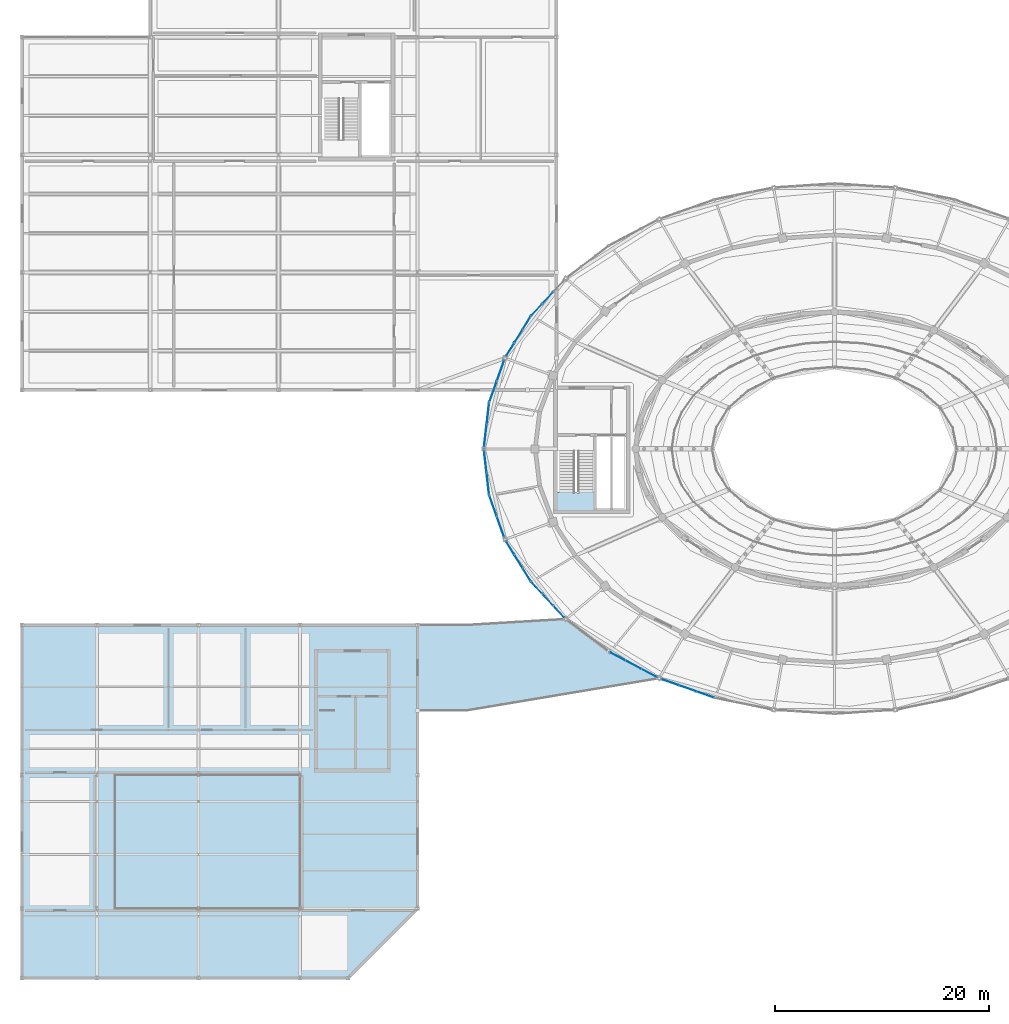
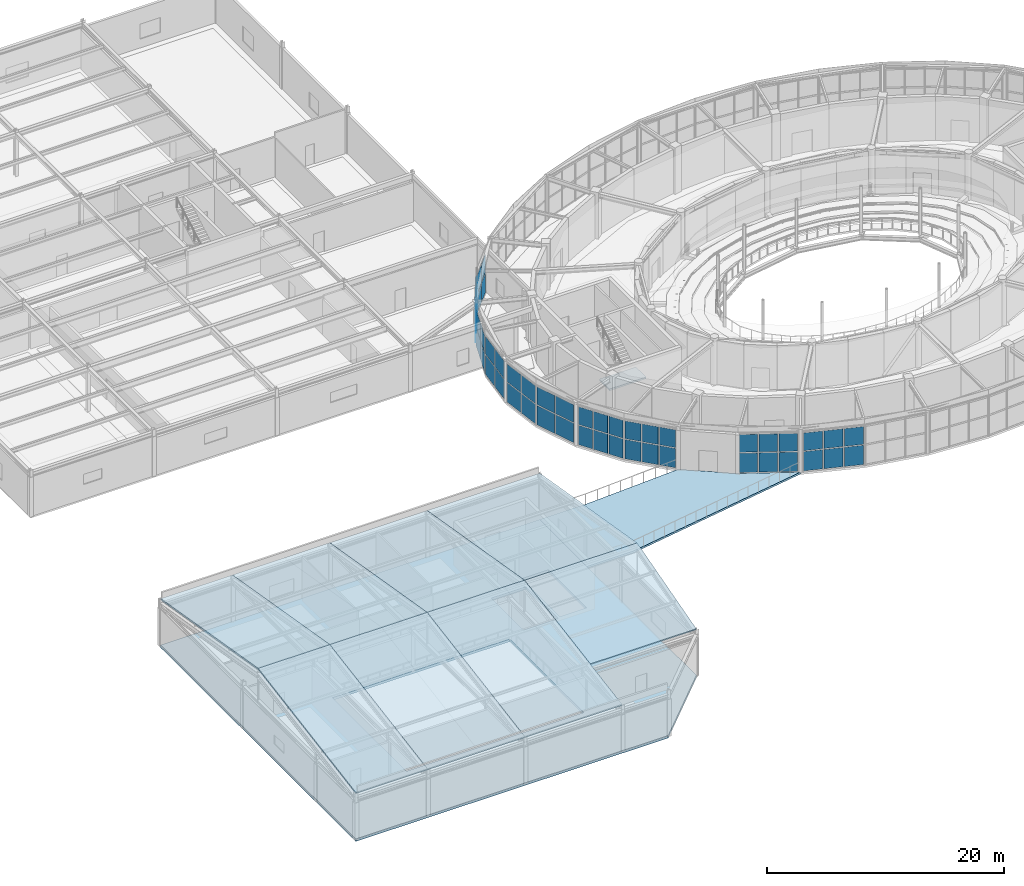
# One storey, part 79 of 108: 50 plates, 11 slabs, 11 elements without a shape of their own.
"""IFC4 building model written with IfcOpenShell, lengths in metres."""

from ifc_helpers import new_model, si_unit, direction, frame, origin, origin_2d, place, context, subcontext, project, spatial, polyline, rectangle, outline, extrude, material, layer, layer_set, type_object, element, aggregate, save


model = new_model("IFC4")

# Units and contexts
model_context = context("Model", 3, precision=1e-05, world=origin(), true_north=direction((0.0, 1.0)))
body_context = subcontext(model_context, "Body", "Model", "MODEL_VIEW")
ifc_project = project(units=[si_unit("LENGTHUNIT", "METRE"), si_unit("AREAUNIT", "SQUARE_METRE"), si_unit("VOLUMEUNIT", "CUBIC_METRE"), si_unit("PLANEANGLEUNIT", "RADIAN"), si_unit("MASSUNIT", "GRAM", prefix="KILO")], contexts=[model_context])

# Site, building, storey
site_placement = place(None, origin())
site = spatial("IfcSite", under=ifc_project, at=site_placement, CompositionType="ELEMENT")
building_placement = place(site_placement, origin())
building = spatial("IfcBuilding", under=site, at=building_placement, Name="Tarnveldt Headland Concert Hall", CompositionType="ELEMENT")
storey_placement = place(building_placement, frame((0.0, 0.0, 9.60009765625)))
storey = spatial("IfcBuildingStorey", under=building, at=storey_placement, Name="L02", CompositionType="ELEMENT", Elevation=9.60009765625)

# Curtain wall, plates
ifc_material_1 = material(Name="Marine-anodised aluminium EN AW-6063-T6", Category="aluminium")
curtain_wall_type = type_object("IfcCurtainWallType", Name="CW-F3", PredefinedType="NOTDEFINED", material=ifc_material_1)
curtain_wall_1_placement = place(storey_placement, origin())
curtain_wall_1 = element("IfcCurtainWall", 1, at=curtain_wall_1_placement, inside=storey, type_object=curtain_wall_type, Name="Curtain wall CW-L02-074", PredefinedType="NOTDEFINED")
ifc_material_2 = material(Name="Acoustic laminated low-iron double glazing", Category="glass")
ifc_layer_1 = layer(ifc_material_2, 0.028076171875, Name="Acoustic laminated low-iron double glazing", Category="glass")
ifc_layer_set_1 = layer_set([ifc_layer_1], Name="Acoustic laminated low-iron double glazing")
plate_type = type_object("IfcPlateType", Name="PN-F3", PredefinedType="CURTAIN_PANEL", material=ifc_layer_set_1)
plate_1_placement = place(storey_placement, frame((56.67919921875, 68.611083984375, 0.09228515625), z_axis=(0.0, 0.0, 1.0), x_axis=(-0.679466915851, -0.73370614708, 0.0)))
plate_1 = element("IfcPlate", 2, at=plate_1_placement, type_object=plate_type, Name="Glazed panel CW-L02-074-2-1", PredefinedType="CURTAIN_PANEL", context=body_context, shape_type="SweptSolid", body=[
    extrude(rectangle(XDim=1.419189453125, YDim=0.028076171875, at=origin_2d()), origin(), (0.0, 0.0, 1.0), 2.001220703125),
])
plate_2_placement = place(storey_placement, frame((56.67919921875, 68.611083984375, 2.178466796875), z_axis=(0.0, 0.0, 1.0), x_axis=(-0.679466915851, -0.73370614708, 0.0)))
plate_2 = element("IfcPlate", 3, at=plate_2_placement, type_object=plate_type, Name="Glazed panel CW-L02-074-2-2", PredefinedType="CURTAIN_PANEL", context=body_context, shape_type="SweptSolid", body=[
    extrude(rectangle(XDim=1.419189453125, YDim=0.028076171875, at=origin_2d()), origin(), (0.0, 0.0, 1.0), 1.8369140625),
])
plate_3_placement = place(storey_placement, frame((55.640869140625, 67.489990234375, 0.09228515625), z_axis=(0.0, 0.0, 1.0), x_axis=(-0.679466915851, -0.73370614708, 0.0)))
plate_3 = element("IfcPlate", 4, at=plate_3_placement, type_object=plate_type, Name="Glazed panel CW-L02-074-3-1", PredefinedType="CURTAIN_PANEL", context=body_context, shape_type="SweptSolid", body=[
    extrude(rectangle(XDim=1.419189453125, YDim=0.028076171875, at=origin_2d()), origin(), (0.0, 0.0, 1.0), 2.001220703125),
])
plate_4_placement = place(storey_placement, frame((55.640869140625, 67.489990234375, 2.178466796875), z_axis=(0.0, 0.0, 1.0), x_axis=(-0.679466915851, -0.73370614708, 0.0)))
plate_4 = element("IfcPlate", 5, at=plate_4_placement, type_object=plate_type, Name="Glazed panel CW-L02-074-3-2", PredefinedType="CURTAIN_PANEL", context=body_context, shape_type="SweptSolid", body=[
    extrude(rectangle(XDim=1.419189453125, YDim=0.028076171875, at=origin_2d()), origin(), (0.0, 0.0, 1.0), 1.8369140625),
])
aggregate(curtain_wall_1, [plate_1, plate_2, plate_3, plate_4])

curtain_wall_2_placement = place(storey_placement, origin())
curtain_wall_2 = element("IfcCurtainWall", 6, at=curtain_wall_2_placement, inside=storey, type_object=curtain_wall_type, Name="Curtain wall CW-L02-075", PredefinedType="NOTDEFINED")
plate_5_placement = place(storey_placement, frame((54.69189453125, 66.247314453125, 0.09228515625), z_axis=(0.0, 0.0, 1.0), x_axis=(-0.524922111703, -0.851150266783, 0.0)))
plate_5 = element("IfcPlate", 7, at=plate_5_placement, type_object=plate_type, Name="Glazed panel CW-L02-075-1-1", PredefinedType="CURTAIN_PANEL", context=body_context, shape_type="SweptSolid", body=[
    extrude(rectangle(XDim=1.3447265625, YDim=0.028076171875, at=origin_2d()), origin(), (0.0, 0.0, 1.0), 1.938720703125),
])
plate_6_placement = place(storey_placement, frame((54.69189453125, 66.247314453125, 2.1162109375), z_axis=(0.0, 0.0, 1.0), x_axis=(-0.524922111703, -0.851150266783, 0.0)))
plate_6 = element("IfcPlate", 8, at=plate_6_placement, type_object=plate_type, Name="Glazed panel CW-L02-075-1-2", PredefinedType="CURTAIN_PANEL", context=body_context, shape_type="SweptSolid", body=[
    extrude(rectangle(XDim=1.3447265625, YDim=0.028076171875, at=origin_2d()), origin(), (0.0, 0.0, 1.0), 1.779296875),
])
plate_7_placement = place(storey_placement, frame((53.9287109375, 65.010009765625, 0.09228515625), z_axis=(0.0, 0.0, 1.0), x_axis=(-0.524922111703, -0.851150266783, 0.0)))
plate_7 = element("IfcPlate", 9, at=plate_7_placement, type_object=plate_type, Name="Glazed panel CW-L02-075-2-1", PredefinedType="CURTAIN_PANEL", context=body_context, shape_type="SweptSolid", body=[
    extrude(rectangle(XDim=1.3447265625, YDim=0.028076171875, at=origin_2d()), origin(), (0.0, 0.0, 1.0), 1.938720703125),
])
plate_8_placement = place(storey_placement, frame((53.9287109375, 65.010009765625, 2.1162109375), z_axis=(0.0, 0.0, 1.0), x_axis=(-0.524922111703, -0.851150266783, 0.0)))
plate_8 = element("IfcPlate", 10, at=plate_8_placement, type_object=plate_type, Name="Glazed panel CW-L02-075-2-2", PredefinedType="CURTAIN_PANEL", context=body_context, shape_type="SweptSolid", body=[
    extrude(rectangle(XDim=1.3447265625, YDim=0.028076171875, at=origin_2d()), origin(), (0.0, 0.0, 1.0), 1.779296875),
])
plate_9_placement = place(storey_placement, frame((53.16552734375, 63.772705078125, 0.09228515625), z_axis=(0.0, 0.0, 1.0), x_axis=(-0.524922111703, -0.851150266783, 0.0)))
plate_9 = element("IfcPlate", 11, at=plate_9_placement, type_object=plate_type, Name="Glazed panel CW-L02-075-3-1", PredefinedType="CURTAIN_PANEL", context=body_context, shape_type="SweptSolid", body=[
    extrude(rectangle(XDim=1.3447265625, YDim=0.028076171875, at=origin_2d()), origin(), (0.0, 0.0, 1.0), 1.938720703125),
])
plate_10_placement = place(storey_placement, frame((53.16552734375, 63.772705078125, 2.1162109375), z_axis=(0.0, 0.0, 1.0), x_axis=(-0.524922111703, -0.851150266783, 0.0)))
plate_10 = element("IfcPlate", 12, at=plate_10_placement, type_object=plate_type, Name="Glazed panel CW-L02-075-3-2", PredefinedType="CURTAIN_PANEL", context=body_context, shape_type="SweptSolid", body=[
    extrude(rectangle(XDim=1.3447265625, YDim=0.028076171875, at=origin_2d()), origin(), (0.0, 0.0, 1.0), 1.779296875),
])
aggregate(curtain_wall_2, [plate_5, plate_6, plate_7, plate_8, plate_9, plate_10])

curtain_wall_3_placement = place(storey_placement, origin())
curtain_wall_3 = element("IfcCurtainWall", 13, at=curtain_wall_3_placement, inside=storey, type_object=curtain_wall_type, Name="Curtain wall CW-L02-076", PredefinedType="NOTDEFINED")
plate_11_placement = place(storey_placement, frame((52.260986328125, 61.8046875, 0.09228515625), z_axis=(0.0, 0.0, 1.0), x_axis=(-0.33402072921, -0.942565728455, 0.0)))
plate_11 = element("IfcPlate", 14, at=plate_11_placement, type_object=plate_type, Name="Glazed panel CW-L02-076-1-1", PredefinedType="CURTAIN_PANEL", context=body_context, shape_type="SweptSolid", body=[
    extrude(rectangle(XDim=1.985107421875, YDim=0.028076171875, at=origin_2d()), origin(), (0.0, 0.0, 1.0), 1.938720703125),
])
plate_12_placement = place(storey_placement, frame((52.260986328125, 61.8046875, 2.1162109375), z_axis=(0.0, 0.0, 1.0), x_axis=(-0.33402072921, -0.942565728455, 0.0)))
plate_12 = element("IfcPlate", 15, at=plate_12_placement, type_object=plate_type, Name="Glazed panel CW-L02-076-1-2", PredefinedType="CURTAIN_PANEL", context=body_context, shape_type="SweptSolid", body=[
    extrude(rectangle(XDim=1.985107421875, YDim=0.028076171875, at=origin_2d()), origin(), (0.0, 0.0, 1.0), 1.779296875),
])
plate_13_placement = place(storey_placement, frame((51.561279296875, 59.8310546875, 0.09228515625), z_axis=(0.0, 0.0, 1.0), x_axis=(-0.33402072921, -0.942565728455, 0.0)))
plate_13 = element("IfcPlate", 16, at=plate_13_placement, type_object=plate_type, Name="Glazed panel CW-L02-076-2-1", PredefinedType="CURTAIN_PANEL", context=body_context, shape_type="SweptSolid", body=[
    extrude(rectangle(XDim=1.985107421875, YDim=0.028076171875, at=origin_2d()), origin(), (0.0, 0.0, 1.0), 1.938720703125),
])
plate_14_placement = place(storey_placement, frame((51.561279296875, 59.8310546875, 2.1162109375), z_axis=(0.0, 0.0, 1.0), x_axis=(-0.33402072921, -0.942565728455, 0.0)))
plate_14 = element("IfcPlate", 17, at=plate_14_placement, type_object=plate_type, Name="Glazed panel CW-L02-076-2-2", PredefinedType="CURTAIN_PANEL", context=body_context, shape_type="SweptSolid", body=[
    extrude(rectangle(XDim=1.985107421875, YDim=0.028076171875, at=origin_2d()), origin(), (0.0, 0.0, 1.0), 1.779296875),
])
aggregate(curtain_wall_3, [plate_11, plate_12, plate_13, plate_14])

curtain_wall_4_placement = place(storey_placement, origin())
curtain_wall_4 = element("IfcCurtainWall", 18, at=curtain_wall_4_placement, inside=storey, type_object=curtain_wall_type, Name="Curtain wall CW-L02-077", PredefinedType="NOTDEFINED")
plate_15_placement = place(storey_placement, frame((51.076171875, 57.750244140625, 0.09228515625), z_axis=(0.0, 0.0, 1.0), x_axis=(-0.114937150493, -0.9933727656, 0.0)))
plate_15 = element("IfcPlate", 19, at=plate_15_placement, type_object=plate_type, Name="Glazed panel CW-L02-077-1-1", PredefinedType="CURTAIN_PANEL", context=body_context, shape_type="SweptSolid", body=[
    extrude(rectangle(XDim=1.937744140625, YDim=0.028076171875, at=origin_2d()), origin(), (0.0, 0.0, 1.0), 2.001220703125),
])
plate_16_placement = place(storey_placement, frame((51.076171875, 57.750244140625, 2.178466796875), z_axis=(0.0, 0.0, 1.0), x_axis=(-0.114937150493, -0.9933727656, 0.0)))
plate_16 = element("IfcPlate", 20, at=plate_16_placement, type_object=plate_type, Name="Glazed panel CW-L02-077-1-2", PredefinedType="CURTAIN_PANEL", context=body_context, shape_type="SweptSolid", body=[
    extrude(rectangle(XDim=1.937744140625, YDim=0.028076171875, at=origin_2d()), origin(), (0.0, 0.0, 1.0), 1.8369140625),
])
plate_17_placement = place(storey_placement, frame((50.8408203125, 55.71728515625, 0.09228515625), z_axis=(0.0, 0.0, 1.0), x_axis=(-0.114937150493, -0.9933727656, 0.0)))
plate_17 = element("IfcPlate", 21, at=plate_17_placement, type_object=plate_type, Name="Glazed panel CW-L02-077-2-1", PredefinedType="CURTAIN_PANEL", context=body_context, shape_type="SweptSolid", body=[
    extrude(rectangle(XDim=1.937744140625, YDim=0.028076171875, at=origin_2d()), origin(), (0.0, 0.0, 1.0), 2.001220703125),
])
plate_18_placement = place(storey_placement, frame((50.8408203125, 55.71728515625, 2.178466796875), z_axis=(0.0, 0.0, 1.0), x_axis=(-0.114937150493, -0.9933727656, 0.0)))
plate_18 = element("IfcPlate", 22, at=plate_18_placement, type_object=plate_type, Name="Glazed panel CW-L02-077-2-2", PredefinedType="CURTAIN_PANEL", context=body_context, shape_type="SweptSolid", body=[
    extrude(rectangle(XDim=1.937744140625, YDim=0.028076171875, at=origin_2d()), origin(), (0.0, 0.0, 1.0), 1.8369140625),
])
aggregate(curtain_wall_4, [plate_15, plate_16, plate_17, plate_18])

curtain_wall_5_placement = place(storey_placement, origin())
curtain_wall_5 = element("IfcCurtainWall", 23, at=curtain_wall_5_placement, inside=storey, type_object=curtain_wall_type, Name="Curtain wall CW-L02-078", PredefinedType="NOTDEFINED")
plate_19_placement = place(storey_placement, frame((50.8408203125, 53.28271484375, 0.09228515625), z_axis=(0.0, 0.0, 1.0), x_axis=(0.114937150493, -0.9933727656, 0.0)))
plate_19 = element("IfcPlate", 24, at=plate_19_placement, type_object=plate_type, Name="Glazed panel CW-L02-078-1-1", PredefinedType="CURTAIN_PANEL", context=body_context, shape_type="SweptSolid", body=[
    extrude(rectangle(XDim=1.937744140625, YDim=0.028076171875, at=origin_2d()), origin(), (0.0, 0.0, 1.0), 2.001220703125),
])
plate_20_placement = place(storey_placement, frame((50.8408203125, 53.28271484375, 2.178466796875), z_axis=(0.0, 0.0, 1.0), x_axis=(0.114937150493, -0.9933727656, 0.0)))
plate_20 = element("IfcPlate", 25, at=plate_20_placement, type_object=plate_type, Name="Glazed panel CW-L02-078-1-2", PredefinedType="CURTAIN_PANEL", context=body_context, shape_type="SweptSolid", body=[
    extrude(rectangle(XDim=1.937744140625, YDim=0.028076171875, at=origin_2d()), origin(), (0.0, 0.0, 1.0), 1.8369140625),
])
plate_21_placement = place(storey_placement, frame((51.076171875, 51.249755859375, 0.09228515625), z_axis=(0.0, 0.0, 1.0), x_axis=(0.114937150493, -0.9933727656, 0.0)))
plate_21 = element("IfcPlate", 26, at=plate_21_placement, type_object=plate_type, Name="Glazed panel CW-L02-078-2-1", PredefinedType="CURTAIN_PANEL", context=body_context, shape_type="SweptSolid", body=[
    extrude(rectangle(XDim=1.937744140625, YDim=0.028076171875, at=origin_2d()), origin(), (0.0, 0.0, 1.0), 2.001220703125),
])
plate_22_placement = place(storey_placement, frame((51.076171875, 51.249755859375, 2.178466796875), z_axis=(0.0, 0.0, 1.0), x_axis=(0.114937150493, -0.9933727656, 0.0)))
plate_22 = element("IfcPlate", 27, at=plate_22_placement, type_object=plate_type, Name="Glazed panel CW-L02-078-2-2", PredefinedType="CURTAIN_PANEL", context=body_context, shape_type="SweptSolid", body=[
    extrude(rectangle(XDim=1.937744140625, YDim=0.028076171875, at=origin_2d()), origin(), (0.0, 0.0, 1.0), 1.8369140625),
])
aggregate(curtain_wall_5, [plate_19, plate_20, plate_21, plate_22])

curtain_wall_6_placement = place(storey_placement, origin())
curtain_wall_6 = element("IfcCurtainWall", 28, at=curtain_wall_6_placement, inside=storey, type_object=curtain_wall_type, Name="Curtain wall CW-L02-079", PredefinedType="NOTDEFINED")
plate_23_placement = place(storey_placement, frame((51.561279296875, 49.1689453125, 0.09228515625), z_axis=(0.0, 0.0, 1.0), x_axis=(0.33402072921, -0.942565728455, 0.0)))
plate_23 = element("IfcPlate", 29, at=plate_23_placement, type_object=plate_type, Name="Glazed panel CW-L02-079-1-1", PredefinedType="CURTAIN_PANEL", context=body_context, shape_type="SweptSolid", body=[
    extrude(rectangle(XDim=1.985107421875, YDim=0.028076171875, at=origin_2d()), origin(), (0.0, 0.0, 1.0), 2.001220703125),
])
plate_24_placement = place(storey_placement, frame((51.561279296875, 49.1689453125, 2.178466796875), z_axis=(0.0, 0.0, 1.0), x_axis=(0.33402072921, -0.942565728455, 0.0)))
plate_24 = element("IfcPlate", 30, at=plate_24_placement, type_object=plate_type, Name="Glazed panel CW-L02-079-1-2", PredefinedType="CURTAIN_PANEL", context=body_context, shape_type="SweptSolid", body=[
    extrude(rectangle(XDim=1.985107421875, YDim=0.028076171875, at=origin_2d()), origin(), (0.0, 0.0, 1.0), 1.8369140625),
])
plate_25_placement = place(storey_placement, frame((52.260986328125, 47.1953125, 0.09228515625), z_axis=(0.0, 0.0, 1.0), x_axis=(0.33402072921, -0.942565728455, 0.0)))
plate_25 = element("IfcPlate", 31, at=plate_25_placement, type_object=plate_type, Name="Glazed panel CW-L02-079-2-1", PredefinedType="CURTAIN_PANEL", context=body_context, shape_type="SweptSolid", body=[
    extrude(rectangle(XDim=1.985107421875, YDim=0.028076171875, at=origin_2d()), origin(), (0.0, 0.0, 1.0), 2.001220703125),
])
plate_26_placement = place(storey_placement, frame((52.260986328125, 47.1953125, 2.178466796875), z_axis=(0.0, 0.0, 1.0), x_axis=(0.33402072921, -0.942565728455, 0.0)))
plate_26 = element("IfcPlate", 32, at=plate_26_placement, type_object=plate_type, Name="Glazed panel CW-L02-079-2-2", PredefinedType="CURTAIN_PANEL", context=body_context, shape_type="SweptSolid", body=[
    extrude(rectangle(XDim=1.985107421875, YDim=0.028076171875, at=origin_2d()), origin(), (0.0, 0.0, 1.0), 1.8369140625),
])
aggregate(curtain_wall_6, [plate_23, plate_24, plate_25, plate_26])

curtain_wall_7_placement = place(storey_placement, origin())
curtain_wall_7 = element("IfcCurtainWall", 33, at=curtain_wall_7_placement, inside=storey, type_object=curtain_wall_type, Name="Curtain wall CW-L02-080", PredefinedType="NOTDEFINED")
plate_27_placement = place(storey_placement, frame((53.16552734375, 45.227294921875, 0.09228515625), z_axis=(0.0, 0.0, 1.0), x_axis=(0.524922111703, -0.851150266783, 0.0)))
plate_27 = element("IfcPlate", 34, at=plate_27_placement, type_object=plate_type, Name="Glazed panel CW-L02-080-1-1", PredefinedType="CURTAIN_PANEL", context=body_context, shape_type="SweptSolid", body=[
    extrude(rectangle(XDim=1.3447265625, YDim=0.028076171875, at=origin_2d()), origin(), (0.0, 0.0, 1.0), 2.001220703125),
])
plate_28_placement = place(storey_placement, frame((53.16552734375, 45.227294921875, 2.178466796875), z_axis=(0.0, 0.0, 1.0), x_axis=(0.524922111703, -0.851150266783, 0.0)))
plate_28 = element("IfcPlate", 35, at=plate_28_placement, type_object=plate_type, Name="Glazed panel CW-L02-080-1-2", PredefinedType="CURTAIN_PANEL", context=body_context, shape_type="SweptSolid", body=[
    extrude(rectangle(XDim=1.3447265625, YDim=0.028076171875, at=origin_2d()), origin(), (0.0, 0.0, 1.0), 1.8369140625),
])
plate_29_placement = place(storey_placement, frame((53.9287109375, 43.989990234375, 0.09228515625), z_axis=(0.0, 0.0, 1.0), x_axis=(0.524922111703, -0.851150266783, 0.0)))
plate_29 = element("IfcPlate", 36, at=plate_29_placement, type_object=plate_type, Name="Glazed panel CW-L02-080-2-1", PredefinedType="CURTAIN_PANEL", context=body_context, shape_type="SweptSolid", body=[
    extrude(rectangle(XDim=1.3447265625, YDim=0.028076171875, at=origin_2d()), origin(), (0.0, 0.0, 1.0), 2.001220703125),
])
plate_30_placement = place(storey_placement, frame((53.9287109375, 43.989990234375, 2.178466796875), z_axis=(0.0, 0.0, 1.0), x_axis=(0.524922111703, -0.851150266783, 0.0)))
plate_30 = element("IfcPlate", 37, at=plate_30_placement, type_object=plate_type, Name="Glazed panel CW-L02-080-2-2", PredefinedType="CURTAIN_PANEL", context=body_context, shape_type="SweptSolid", body=[
    extrude(rectangle(XDim=1.3447265625, YDim=0.028076171875, at=origin_2d()), origin(), (0.0, 0.0, 1.0), 1.8369140625),
])
plate_31_placement = place(storey_placement, frame((54.69189453125, 42.752685546875, 0.09228515625), z_axis=(0.0, 0.0, 1.0), x_axis=(0.524922111703, -0.851150266783, 0.0)))
plate_31 = element("IfcPlate", 38, at=plate_31_placement, type_object=plate_type, Name="Glazed panel CW-L02-080-3-1", PredefinedType="CURTAIN_PANEL", context=body_context, shape_type="SweptSolid", body=[
    extrude(rectangle(XDim=1.3447265625, YDim=0.028076171875, at=origin_2d()), origin(), (0.0, 0.0, 1.0), 2.001220703125),
])
plate_32_placement = place(storey_placement, frame((54.69189453125, 42.752685546875, 2.178466796875), z_axis=(0.0, 0.0, 1.0), x_axis=(0.524922111703, -0.851150266783, 0.0)))
plate_32 = element("IfcPlate", 39, at=plate_32_placement, type_object=plate_type, Name="Glazed panel CW-L02-080-3-2", PredefinedType="CURTAIN_PANEL", context=body_context, shape_type="SweptSolid", body=[
    extrude(rectangle(XDim=1.3447265625, YDim=0.028076171875, at=origin_2d()), origin(), (0.0, 0.0, 1.0), 1.8369140625),
])
aggregate(curtain_wall_7, [plate_27, plate_28, plate_29, plate_30, plate_31, plate_32])

curtain_wall_8_placement = place(storey_placement, origin())
curtain_wall_8 = element("IfcCurtainWall", 40, at=curtain_wall_8_placement, inside=storey, type_object=curtain_wall_type, Name="Curtain wall CW-L02-081", PredefinedType="NOTDEFINED")
plate_33_placement = place(storey_placement, frame((55.640625, 41.510009765625, 0.09228515625), z_axis=(0.0, 0.0, 1.0), x_axis=(0.679466915851, -0.73370614708, 0.0)))
plate_33 = element("IfcPlate", 41, at=plate_33_placement, type_object=plate_type, Name="Glazed panel CW-L02-081-1-1", PredefinedType="CURTAIN_PANEL", context=body_context, shape_type="SweptSolid", body=[
    extrude(rectangle(XDim=1.419189453125, YDim=0.028076171875, at=origin_2d()), origin(), (0.0, 0.0, 1.0), 2.001220703125),
])
plate_34_placement = place(storey_placement, frame((55.640625, 41.510009765625, 2.178466796875), z_axis=(0.0, 0.0, 1.0), x_axis=(0.679466915851, -0.73370614708, 0.0)))
plate_34 = element("IfcPlate", 42, at=plate_34_placement, type_object=plate_type, Name="Glazed panel CW-L02-081-1-2", PredefinedType="CURTAIN_PANEL", context=body_context, shape_type="SweptSolid", body=[
    extrude(rectangle(XDim=1.419189453125, YDim=0.028076171875, at=origin_2d()), origin(), (0.0, 0.0, 1.0), 1.8369140625),
])
plate_35_placement = place(storey_placement, frame((56.67919921875, 40.388916015625, 0.09228515625), z_axis=(0.0, 0.0, 1.0), x_axis=(0.679466915851, -0.73370614708, 0.0)))
plate_35 = element("IfcPlate", 43, at=plate_35_placement, type_object=plate_type, Name="Glazed panel CW-L02-081-2-1", PredefinedType="CURTAIN_PANEL", context=body_context, shape_type="SweptSolid", body=[
    extrude(rectangle(XDim=1.419189453125, YDim=0.028076171875, at=origin_2d()), origin(), (0.0, 0.0, 1.0), 2.001220703125),
])
plate_36_placement = place(storey_placement, frame((56.67919921875, 40.388916015625, 2.178466796875), z_axis=(0.0, 0.0, 1.0), x_axis=(0.679466915851, -0.73370614708, 0.0)))
plate_36 = element("IfcPlate", 44, at=plate_36_placement, type_object=plate_type, Name="Glazed panel CW-L02-081-2-2", PredefinedType="CURTAIN_PANEL", context=body_context, shape_type="SweptSolid", body=[
    extrude(rectangle(XDim=1.419189453125, YDim=0.028076171875, at=origin_2d()), origin(), (0.0, 0.0, 1.0), 1.8369140625),
])
plate_37_placement = place(storey_placement, frame((57.71728515625, 39.267578125, 0.09228515625), z_axis=(0.0, 0.0, 1.0), x_axis=(0.679466915851, -0.73370614708, 0.0)))
plate_37 = element("IfcPlate", 45, at=plate_37_placement, type_object=plate_type, Name="Glazed panel CW-L02-081-3-1", PredefinedType="CURTAIN_PANEL", context=body_context, shape_type="SweptSolid", body=[
    extrude(rectangle(XDim=1.419189453125, YDim=0.028076171875, at=origin_2d()), origin(), (0.0, 0.0, 1.0), 2.001220703125),
])
plate_38_placement = place(storey_placement, frame((57.71728515625, 39.267578125, 2.178466796875), z_axis=(0.0, 0.0, 1.0), x_axis=(0.679466915851, -0.73370614708, 0.0)))
plate_38 = element("IfcPlate", 46, at=plate_38_placement, type_object=plate_type, Name="Glazed panel CW-L02-081-3-2", PredefinedType="CURTAIN_PANEL", context=body_context, shape_type="SweptSolid", body=[
    extrude(rectangle(XDim=1.419189453125, YDim=0.028076171875, at=origin_2d()), origin(), (0.0, 0.0, 1.0), 1.8369140625),
])
aggregate(curtain_wall_8, [plate_33, plate_34, plate_35, plate_36, plate_37, plate_38])

curtain_wall_9_placement = place(storey_placement, origin())
curtain_wall_9 = element("IfcCurtainWall", 47, at=curtain_wall_9_placement, inside=storey, type_object=curtain_wall_type, Name="Curtain wall CW-L02-082", PredefinedType="NOTDEFINED")
plate_39_placement = place(storey_placement, frame((63.197021484375, 35.089111328125, 0.09228515625), z_axis=(0.0, 0.0, 1.0), x_axis=(0.883781963382, -0.467898964735, 0.0)))
plate_39 = element("IfcPlate", 48, at=plate_39_placement, type_object=plate_type, Name="Glazed panel CW-L02-082-1-1", PredefinedType="CURTAIN_PANEL", context=body_context, shape_type="SweptSolid", body=[
    extrude(rectangle(XDim=1.576904296875, YDim=0.028076171875, at=origin_2d()), origin(), (0.0, 0.0, 1.0), 2.001220703125),
])
plate_40_placement = place(storey_placement, frame((63.197021484375, 35.089111328125, 2.178466796875), z_axis=(0.0, 0.0, 1.0), x_axis=(0.883781963382, -0.467898964735, 0.0)))
plate_40 = element("IfcPlate", 49, at=plate_40_placement, type_object=plate_type, Name="Glazed panel CW-L02-082-1-2", PredefinedType="CURTAIN_PANEL", context=body_context, shape_type="SweptSolid", body=[
    extrude(rectangle(XDim=1.576904296875, YDim=0.028076171875, at=origin_2d()), origin(), (0.0, 0.0, 1.0), 1.8369140625),
])
plate_41_placement = place(storey_placement, frame((64.686767578125, 34.30029296875, 0.09228515625), z_axis=(0.0, 0.0, 1.0), x_axis=(0.883781963382, -0.467898964735, 0.0)))
plate_41 = element("IfcPlate", 50, at=plate_41_placement, type_object=plate_type, Name="Glazed panel CW-L02-082-2-1", PredefinedType="CURTAIN_PANEL", context=body_context, shape_type="SweptSolid", body=[
    extrude(rectangle(XDim=1.576904296875, YDim=0.028076171875, at=origin_2d()), origin(), (0.0, 0.0, 1.0), 2.001220703125),
])
plate_42_placement = place(storey_placement, frame((64.686767578125, 34.30029296875, 2.178466796875), z_axis=(0.0, 0.0, 1.0), x_axis=(0.883781963382, -0.467898964735, 0.0)))
plate_42 = element("IfcPlate", 51, at=plate_42_placement, type_object=plate_type, Name="Glazed panel CW-L02-082-2-2", PredefinedType="CURTAIN_PANEL", context=body_context, shape_type="SweptSolid", body=[
    extrude(rectangle(XDim=1.576904296875, YDim=0.028076171875, at=origin_2d()), origin(), (0.0, 0.0, 1.0), 1.8369140625),
])
plate_43_placement = place(storey_placement, frame((66.176513671875, 33.511474609375, 0.09228515625), z_axis=(0.0, 0.0, 1.0), x_axis=(0.883781963382, -0.467898964735, 0.0)))
plate_43 = element("IfcPlate", 52, at=plate_43_placement, type_object=plate_type, Name="Glazed panel CW-L02-082-3-1", PredefinedType="CURTAIN_PANEL", context=body_context, shape_type="SweptSolid", body=[
    extrude(rectangle(XDim=1.576904296875, YDim=0.028076171875, at=origin_2d()), origin(), (0.0, 0.0, 1.0), 2.001220703125),
])
plate_44_placement = place(storey_placement, frame((66.176513671875, 33.511474609375, 2.178466796875), z_axis=(0.0, 0.0, 1.0), x_axis=(0.883781963382, -0.467898964735, 0.0)))
plate_44 = element("IfcPlate", 53, at=plate_44_placement, type_object=plate_type, Name="Glazed panel CW-L02-082-3-2", PredefinedType="CURTAIN_PANEL", context=body_context, shape_type="SweptSolid", body=[
    extrude(rectangle(XDim=1.576904296875, YDim=0.028076171875, at=origin_2d()), origin(), (0.0, 0.0, 1.0), 1.8369140625),
])
aggregate(curtain_wall_9, [plate_39, plate_40, plate_41, plate_42, plate_43, plate_44])

curtain_wall_10_placement = place(storey_placement, origin())
curtain_wall_10 = element("IfcCurtainWall", 54, at=curtain_wall_10_placement, inside=storey, type_object=curtain_wall_type, Name="Curtain wall CW-L02-083", PredefinedType="NOTDEFINED")
plate_45_placement = place(storey_placement, frame((68.1162109375, 32.664306640625, 0.09228515625), z_axis=(0.0, 0.0, 1.0), x_axis=(0.9430950477, -0.33252327889, 0.0)))
plate_45 = element("IfcPlate", 55, at=plate_45_placement, type_object=plate_type, Name="Glazed panel CW-L02-083-1-1", PredefinedType="CURTAIN_PANEL", context=body_context, shape_type="SweptSolid", body=[
    extrude(rectangle(XDim=1.641845703125, YDim=0.028076171875, at=origin_2d()), origin(), (0.0, 0.0, 1.0), 2.001220703125),
])
plate_46_placement = place(storey_placement, frame((68.1162109375, 32.664306640625, 2.178466796875), z_axis=(0.0, 0.0, 1.0), x_axis=(0.9430950477, -0.33252327889, 0.0)))
plate_46 = element("IfcPlate", 56, at=plate_46_placement, type_object=plate_type, Name="Glazed panel CW-L02-083-1-2", PredefinedType="CURTAIN_PANEL", context=body_context, shape_type="SweptSolid", body=[
    extrude(rectangle(XDim=1.641845703125, YDim=0.028076171875, at=origin_2d()), origin(), (0.0, 0.0, 1.0), 1.8369140625),
])
plate_47_placement = place(storey_placement, frame((69.76708984375, 32.08203125, 0.09228515625), z_axis=(0.0, 0.0, 1.0), x_axis=(0.9430950477, -0.33252327889, 0.0)))
plate_47 = element("IfcPlate", 57, at=plate_47_placement, type_object=plate_type, Name="Glazed panel CW-L02-083-2-1", PredefinedType="CURTAIN_PANEL", context=body_context, shape_type="SweptSolid", body=[
    extrude(rectangle(XDim=1.641845703125, YDim=0.028076171875, at=origin_2d()), origin(), (0.0, 0.0, 1.0), 2.001220703125),
])
plate_48_placement = place(storey_placement, frame((69.76708984375, 32.08203125, 2.178466796875), z_axis=(0.0, 0.0, 1.0), x_axis=(0.9430950477, -0.33252327889, 0.0)))
plate_48 = element("IfcPlate", 58, at=plate_48_placement, type_object=plate_type, Name="Glazed panel CW-L02-083-2-2", PredefinedType="CURTAIN_PANEL", context=body_context, shape_type="SweptSolid", body=[
    extrude(rectangle(XDim=1.641845703125, YDim=0.028076171875, at=origin_2d()), origin(), (0.0, 0.0, 1.0), 1.8369140625),
])
plate_49_placement = place(storey_placement, frame((71.41845703125, 31.5, 0.09228515625), z_axis=(0.0, 0.0, 1.0), x_axis=(0.9430950477, -0.33252327889, 0.0)))
plate_49 = element("IfcPlate", 59, at=plate_49_placement, type_object=plate_type, Name="Glazed panel CW-L02-083-3-1", PredefinedType="CURTAIN_PANEL", context=body_context, shape_type="SweptSolid", body=[
    extrude(rectangle(XDim=1.641845703125, YDim=0.028076171875, at=origin_2d()), origin(), (0.0, 0.0, 1.0), 2.001220703125),
])
plate_50_placement = place(storey_placement, frame((71.41845703125, 31.5, 2.178466796875), z_axis=(0.0, 0.0, 1.0), x_axis=(0.9430950477, -0.33252327889, 0.0)))
plate_50 = element("IfcPlate", 60, at=plate_50_placement, type_object=plate_type, Name="Glazed panel CW-L02-083-3-2", PredefinedType="CURTAIN_PANEL", context=body_context, shape_type="SweptSolid", body=[
    extrude(rectangle(XDim=1.641845703125, YDim=0.028076171875, at=origin_2d()), origin(), (0.0, 0.0, 1.0), 1.8369140625),
])
aggregate(curtain_wall_10, [plate_45, plate_46, plate_47, plate_48, plate_49, plate_50])

# Slabs
ifc_material_3 = material(Name="Concrete C40/50", Category="concrete")
ifc_layer_2 = layer(ifc_material_3, 0.260009765625, Name="Concrete C40/50", Category="concrete")
ifc_layer_set_2 = layer_set([ifc_layer_2], Name="Concrete C40/50")
slab_type_1 = type_object("IfcSlabType", Name="SL-FL260", PredefinedType="FLOOR", material=ifc_layer_set_2)
slab_1_placement = place(storey_placement, frame((0.0, 0.0, -0.260009765625)))
element("IfcSlab", 61, at=slab_1_placement, inside=storey, type_object=slab_type_1, Name="Chamber pavilion floor slab L02", PredefinedType="FLOOR", context=body_context, shape_type="SweptSolid", body=[
    extrude(outline(polyline([(44.5, 11.5), (44.5, 38.0), (7.5, 38.0), (7.5, 5.0), (38.0, 5.0), (44.5, 11.5)]), holes=[polyline([(16.199951171875, 11.5), (16.199951171875, 24.0), (33.5, 24.0), (33.5, 11.5), (16.199951171875, 11.5)]), polyline([(35.179931640625, 30.0), (38.56005859375, 30.0), (38.56005859375, 24.580078125), (35.179931640625, 24.580078125), (35.179931640625, 30.0)]), polyline([(41.43994140625, 31.2099609375), (41.43994140625, 24.760009765625), (38.840087890625, 24.760009765625), (38.840087890625, 31.2099609375), (41.43994140625, 31.2099609375)])]), origin(), (0.0, 0.0, 1.0), 0.260009765625),
])
ifc_layer_3 = layer(ifc_material_3, 0.155029296875, Name="Concrete C40/50", Category="concrete")
ifc_layer_set_3 = layer_set([ifc_layer_3], Name="Concrete C40/50")
slab_type_2 = type_object("IfcSlabType", Name="SL-RF155", PredefinedType="ROOF", material=ifc_layer_set_3)
for number, where, z_axis, x_axis, name in (
    (62, (7.5, 5.0, 4.7998046875), (0.0, -0.167307955046, 0.985904685139), (1.0, 0.0, 0.0), "Chamber folded roof south facet 1"),
    (63, (7.5, 21.5, 7.599853515625), (0.0, 0.167307955046, 0.985904685139), (1.0, 0.0, 0.0), "Chamber folded roof north facet 1"),
):
    element("IfcSlab", number, at=place(storey_placement, frame(where, z_axis=z_axis, x_axis=x_axis)), inside=storey, type_object=slab_type_2, Name=name, PredefinedType="ROOF", context=body_context, shape_type="SweptSolid", body=[
        extrude(outline(polyline([(0.0, 0.0), (7.0, 0.0), (7.0, 16.735897748250142), (0.0, 16.735897748250142), (0.0, 0.0)])), origin(), (0.0, 0.0, -1.0), 0.155029296875),
    ])
for number, where, z_axis, x_axis, name in (
    (64, (14.5, 5.0, 4.7998046875), (0.0, -0.167307955046, 0.985904685139), (1.0, 0.0, 0.0), "Chamber folded roof south facet 2"),
    (65, (14.5, 21.5, 7.599853515625), (0.0, 0.167307955046, 0.985904685139), (1.0, 0.0, 0.0), "Chamber folded roof north facet 2"),
    (66, (24.0, 5.0, 4.7998046875), (0.0, -0.167307955046, 0.985904685139), (1.0, 0.0, 0.0), "Chamber folded roof south facet 3"),
    (67, (24.0, 21.5, 7.599853515625), (0.0, 0.167307955046, 0.985904685139), (1.0, 0.0, 0.0), "Chamber folded roof north facet 3"),
):
    element("IfcSlab", number, at=place(storey_placement, frame(where, z_axis=z_axis, x_axis=x_axis)), inside=storey, type_object=slab_type_2, Name=name, PredefinedType="ROOF", context=body_context, shape_type="SweptSolid", body=[
        extrude(outline(polyline([(0.0, 0.0), (9.5, 0.0), (9.5, 16.735897748250142), (0.0, 16.735897748250142), (0.0, 0.0)])), origin(), (0.0, 0.0, -1.0), 0.155029296875),
    ])
slab_2_placement = place(storey_placement, frame((33.5, 11.5, 4.7998046875), z_axis=(0.0, -0.26963428565, 0.962962798867), x_axis=(1.0, 0.0, 0.0)))
element("IfcSlab", 68, at=slab_2_placement, inside=storey, type_object=slab_type_2, Name="Chamber folded roof south facet 4", PredefinedType="ROOF", context=body_context, shape_type="SweptSolid", body=[
    extrude(outline(polyline([(0.0, 0.0), (11.0, 0.0), (11.0, 10.38461715422789), (0.0, 10.38461715422789), (0.0, 0.0)])), origin(), (0.0, 0.0, -1.0), 0.155029296875),
])
slab_3_placement = place(storey_placement, frame((33.5, 21.5, 7.599853515625), z_axis=(0.0, 0.167307955046, 0.985904685139), x_axis=(1.0, 0.0, 0.0)))
element("IfcSlab", 69, at=slab_3_placement, inside=storey, type_object=slab_type_2, Name="Chamber folded roof north facet 4", PredefinedType="ROOF", context=body_context, shape_type="SweptSolid", body=[
    extrude(outline(polyline([(0.0, 0.0), (11.0, 0.0), (11.0, 16.735897748250142), (0.0, 16.735897748250142), (0.0, 0.0)])), origin(), (0.0, 0.0, -1.0), 0.155029296875),
])

# Stair, slab
stair_type = type_object("IfcStairType", Name="ST-CORE480", PredefinedType="HALF_TURN_STAIR", material=ifc_material_3)
stair_placement = place(storey_placement, origin())
stair = element("IfcStair", 70, at=stair_placement, inside=storey, type_object=stair_type, Name="Exit stair STR-C1-L02", PredefinedType="HALF_TURN_STAIR")
ifc_layer_4 = layer(ifc_material_3, 0.179931640625, Name="Concrete C40/50", Category="concrete")
ifc_layer_set_4 = layer_set([ifc_layer_4], Name="Concrete C40/50")
slab_type_3 = type_object("IfcSlabType", Name="SL-STLND180", PredefinedType="LANDING", material=ifc_layer_set_4)
slab_4_placement = place(storey_placement, frame((0.0, 0.0, 2.219970703125)))
slab_4 = element("IfcSlab", 71, at=slab_4_placement, type_object=slab_type_3, Name="Stair half-landing STR-C1-L02", PredefinedType="LANDING", context=body_context, shape_type="SweptSolid", body=[
    extrude(outline(polyline([(57.52001953125, 48.719970703125), (61.080078125, 48.719970703125), (61.080078125, 50.43994140625), (57.52001953125, 50.43994140625), (57.52001953125, 48.719970703125)])), origin(), (0.0, 0.0, 1.0), 0.179931640625),
])
aggregate(stair, [slab_4])

# Slab
ifc_layer_5 = layer(ifc_material_3, 0.195068359375, Name="Concrete C40/50", Category="concrete")
ifc_layer_set_5 = layer_set([ifc_layer_5], Name="Concrete C40/50")
slab_type_4 = type_object("IfcSlabType", Name="SL-TR195", PredefinedType="ROOF", material=ifc_layer_set_5)
slab_5_placement = place(storey_placement, frame((0.0, 0.0, -0.195068359375)))
element("IfcSlab", 72, at=slab_5_placement, inside=storey, type_object=slab_type_4, Name="Chamber link lookout terrace slab L02", PredefinedType="ROOF", context=body_context, shape_type="SweptSolid", body=[
    extrude(outline(polyline([(44.5, 30.0), (49.0, 30.0), (67.10009765625, 33.022705078125), (62.41650390625, 35.502197265625), (58.373779296875, 38.558837890625), (49.0, 38.0), (44.5, 38.0), (44.5, 30.0)])), origin(), (0.0, 0.0, 1.0), 0.195068359375),
])

save(model, "model.ifc")
